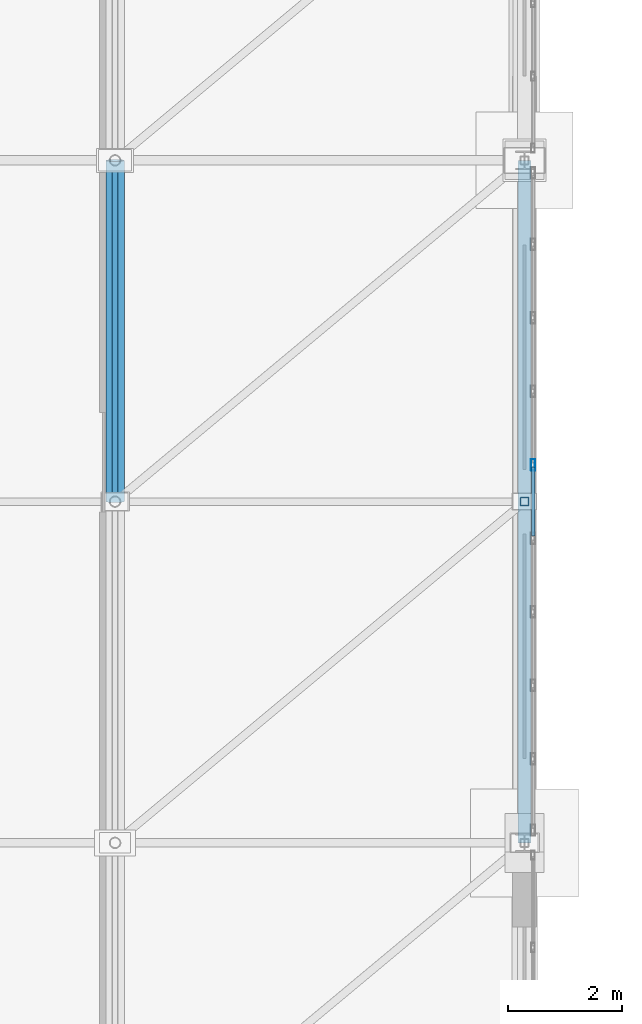
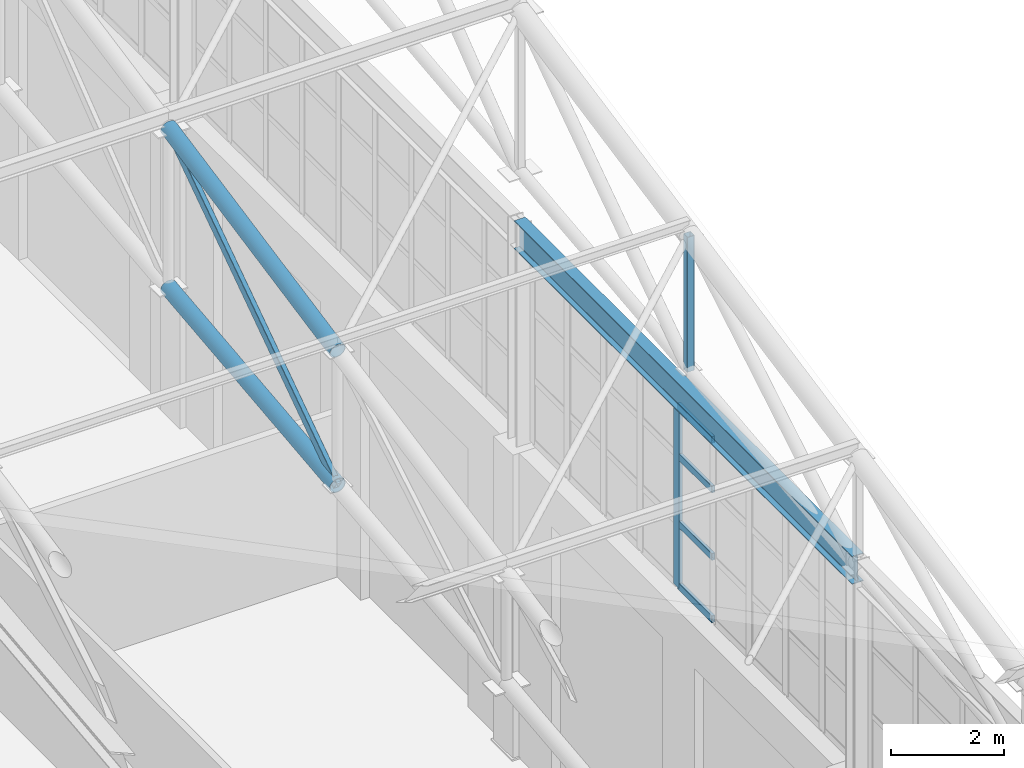
# One storey, part 186 of 293: 9 members, 1 beam, 1 element without a shape of its own.
"""IFC4 building model written with IfcOpenShell, lengths in metres."""

from ifc_helpers import new_model, si_unit, direction, frame, origin, origin_2d, place, context, subcontext, project, spatial, hollow_rectangle, hollow_circle, i_section, extrude, material, layer, layer_set, material_profile, profile_set, type_object, element, aggregate, save


model = new_model("IFC4")

# Units and contexts
model_context = context("Model", 3, precision=1e-05, world=origin(), true_north=direction((0.0, 1.0)))
body_context = subcontext(model_context, "Body", "Model", "MODEL_VIEW")
ifc_project = project(units=[si_unit("LENGTHUNIT", "METRE"), si_unit("AREAUNIT", "SQUARE_METRE"), si_unit("VOLUMEUNIT", "CUBIC_METRE"), si_unit("PLANEANGLEUNIT", "RADIAN"), si_unit("MASSUNIT", "GRAM", prefix="KILO")], contexts=[model_context])

# Site, building, storey
site_placement = place(None, origin())
site = spatial("IfcSite", under=ifc_project, at=site_placement, CompositionType="ELEMENT")
building_placement = place(site_placement, origin())
building = spatial("IfcBuilding", under=site, at=building_placement, Name="Kemerveld Promenade Tramway Depot", CompositionType="ELEMENT")
storey_placement = place(building_placement, origin())
storey = spatial("IfcBuildingStorey", under=building, at=storey_placement, Name="L00", CompositionType="ELEMENT", Elevation=0.0)

# Beam
ifc_material_1 = material(Name="Steel S355", Category="steel")
ifc_material_profile_1 = material_profile(ifc_material_1, i_section(OverallWidth=0.22900390625, OverallDepth=0.6123046875, WebThickness=0.011962890625, FlangeThickness=0.01953125, FilletRadius=0.0126953125, at=origin_2d()), Name="610x229x125 UB")
ifc_profile_set_1 = profile_set([ifc_material_profile_1], Name="Steel S355")
beam_type = type_object("IfcBeamType", Name="BM-G04", PredefinedType="BEAM", material=ifc_profile_set_1)
beam_placement = place(storey_placement, frame((187.199951171875, 96.0, 11.093994140625), z_axis=(0.0, 1.0, 0.0), x_axis=(-1.0, 0.0, 0.0)))
element("IfcBeam", 1, at=beam_placement, inside=storey, type_object=beam_type, Name="BM-GABLE-27-P", PredefinedType="BEAM", context=body_context, shape_type="SweptSolid", body=[
    extrude(i_section(OverallWidth=0.22900390625, OverallDepth=0.6123046875, WebThickness=0.011962890625, FlangeThickness=0.01953125, FilletRadius=0.0126953125, at=origin_2d()), origin(), (0.0, 0.0, 1.0), 12.0),
])

# Curtain wall, members
ifc_material_2 = material(Name="Bronze anodised aluminium and solar glass", Category="aluminium")
ifc_layer = layer(ifc_material_2, 0.199951171875)
ifc_layer_set = layer_set([ifc_layer], Name="CW-SYS-12")
curtain_wall_type = type_object("IfcCurtainWallType", Name="CW-SYS-12", PredefinedType="USERDEFINED", material=ifc_layer_set)
curtain_wall_placement = place(storey_placement, origin())
curtain_wall = element("IfcCurtainWall", 2, at=curtain_wall_placement, inside=storey, type_object=curtain_wall_type, Name="CW-V1-E-02", ObjectType="GLAZED_CURTAIN_WALL", PredefinedType="USERDEFINED")
ifc_material_3 = material(Name="Bronze anodised aluminium", Category="aluminium")
ifc_material_profile_2 = material_profile(ifc_material_3, hollow_rectangle(XDim=0.074951171875, YDim=0.199951171875, WallThickness=0.0048828125, InnerFilletRadius=0.001953125, OuterFilletRadius=0.0048828125, at=origin_2d()), Name="CW-MUL-200x75")
ifc_profile_set_2 = profile_set([ifc_material_profile_2], Name="Bronze anodised aluminium")
member_type_1 = type_object("IfcMemberType", Name="CW-MUL-B", PredefinedType="MULLION", material=ifc_profile_set_2)
member_1_placement = place(storey_placement, frame((187.35009765625, 102.646240234375, 6.64990234375), z_axis=(0.0, 0.0, 1.0), x_axis=(1.0, 0.0, 0.0)))
member_1 = element("IfcMember", 3, at=member_1_placement, type_object=member_type_1, Name="CW12 mullion 5", PredefinedType="MULLION", context=body_context, shape_type="SweptSolid", body=[
    extrude(hollow_rectangle(XDim=0.074951171875, YDim=0.199951171875, WallThickness=0.0048828125, InnerFilletRadius=0.001953125, OuterFilletRadius=0.0048828125, at=origin_2d()), origin(), (0.0, 0.0, 1.0), 3.9501953125),
])
ifc_material_profile_3 = material_profile(ifc_material_3, hollow_rectangle(XDim=0.06494140625, YDim=0.14990234375, WallThickness=0.00439453125, InnerFilletRadius=0.001953125, OuterFilletRadius=0.00439453125, at=origin_2d()), Name="CW-TRN-150x65")
ifc_profile_set_3 = profile_set([ifc_material_profile_3], Name="Bronze anodised aluminium")
member_type_2 = type_object("IfcMemberType", Name="CW-TRN-B", PredefinedType="USERDEFINED", material=ifc_profile_set_3)
member_2_placement = place(storey_placement, frame((187.35009765625, 102.60888671875, 6.6826171875), z_axis=(0.0, -1.0, 0.0), x_axis=(1.0, 0.0, 0.0)))
member_2 = element("IfcMember", 4, at=member_2_placement, type_object=member_type_2, Name="CW12 transom 5.1", ObjectType="TRANSOM", PredefinedType="USERDEFINED", context=body_context, shape_type="SweptSolid", body=[
    extrude(hollow_rectangle(XDim=0.06494140625, YDim=0.14990234375, WallThickness=0.00439453125, InnerFilletRadius=0.001953125, OuterFilletRadius=0.00439453125, at=origin_2d()), origin(), (0.0, 0.0, 1.0), 1.2177734375),
])
member_3_placement = place(storey_placement, frame((187.35009765625, 102.60888671875, 8.032958984375), z_axis=(0.0, -1.0, 0.0), x_axis=(1.0, 0.0, 0.0)))
member_3 = element("IfcMember", 5, at=member_3_placement, type_object=member_type_2, Name="CW12 transom 5.2", ObjectType="TRANSOM", PredefinedType="USERDEFINED", context=body_context, shape_type="SweptSolid", body=[
    extrude(hollow_rectangle(XDim=0.06494140625, YDim=0.14990234375, WallThickness=0.00439453125, InnerFilletRadius=0.001953125, OuterFilletRadius=0.00439453125, at=origin_2d()), origin(), (0.0, 0.0, 1.0), 1.2177734375),
])
member_4_placement = place(storey_placement, frame((187.35009765625, 102.60888671875, 9.493896484375), z_axis=(0.0, -1.0, 0.0), x_axis=(1.0, 0.0, 0.0)))
member_4 = element("IfcMember", 6, at=member_4_placement, type_object=member_type_2, Name="CW12 transom 5.3", ObjectType="TRANSOM", PredefinedType="USERDEFINED", context=body_context, shape_type="SweptSolid", body=[
    extrude(hollow_rectangle(XDim=0.06494140625, YDim=0.14990234375, WallThickness=0.00439453125, InnerFilletRadius=0.001953125, OuterFilletRadius=0.00439453125, at=origin_2d()), origin(), (0.0, 0.0, 1.0), 1.2177734375),
])
member_5_placement = place(storey_placement, frame((187.35009765625, 102.60888671875, 10.5673828125), z_axis=(0.0, -1.0, 0.0), x_axis=(1.0, 0.0, 0.0)))
member_5 = element("IfcMember", 7, at=member_5_placement, type_object=member_type_2, Name="CW12 transom 5.4", ObjectType="TRANSOM", PredefinedType="USERDEFINED", context=body_context, shape_type="SweptSolid", body=[
    extrude(hollow_rectangle(XDim=0.06494140625, YDim=0.14990234375, WallThickness=0.00439453125, InnerFilletRadius=0.001953125, OuterFilletRadius=0.00439453125, at=origin_2d()), origin(), (0.0, 0.0, 1.0), 1.2177734375),
])
aggregate(curtain_wall, [member_1, member_2, member_3, member_4, member_5])

# Members
ifc_material_profile_4 = material_profile(ifc_material_1, hollow_rectangle(XDim=0.10009765625, YDim=0.199951171875, WallThickness=0.008056640625, InnerFilletRadius=0.00390625, OuterFilletRadius=0.011962890625, at=origin_2d()), Name="200x100x8.0 RHS")
ifc_profile_set_4 = profile_set([ifc_material_profile_4], Name="Steel S355")
member_type_3 = type_object("IfcMemberType", Name="MB-M03", PredefinedType="BRACE", material=ifc_profile_set_4)
member_6_placement = place(storey_placement, frame((180.0, 102.0, 11.780029296875), z_axis=(0.0, 0.824370638462, 0.566050395673), x_axis=(-1.0, 0.0, 0.0)))
element("IfcMember", 8, at=member_6_placement, inside=storey, type_object=member_type_3, Name="TR-26-DG-04", PredefinedType="BRACE", context=body_context, shape_type="SweptSolid", body=[
    extrude(hollow_rectangle(XDim=0.10009765625, YDim=0.199951171875, WallThickness=0.008056640625, InnerFilletRadius=0.00390625, OuterFilletRadius=0.011962890625, at=origin_2d()), origin(), (0.0, 0.0, 1.0), 7.2783203125),
])
ifc_material_profile_5 = material_profile(ifc_material_1, hollow_circle(Radius=0.161865234375, WallThickness=0.012451171875, at=origin_2d()), Name="323.9x12.5 CHS")
ifc_profile_set_5 = profile_set([ifc_material_profile_5], Name="Steel S355")
member_type_4 = type_object("IfcMemberType", Name="MB-TC2", PredefinedType="CHORD", material=ifc_profile_set_5)
member_7_placement = place(storey_placement, frame((180.0, 102.0, 14.699951171875), z_axis=(0.0, 0.980582210276, 0.196108462057), x_axis=(-1.0, 0.0, 0.0)))
element("IfcMember", 9, at=member_7_placement, inside=storey, type_object=member_type_4, Name="TR-26-TC-04", PredefinedType="CHORD", context=body_context, shape_type="SweptSolid", body=[
    extrude(hollow_circle(Radius=0.161865234375, WallThickness=0.012451171875, at=origin_2d()), origin(), (0.0, 0.0, 1.0), 6.118896484375),
])
member_8_placement = place(storey_placement, frame((180.0, 102.0, 11.780029296875), z_axis=(0.0, 0.994005938353, 0.109326092585), x_axis=(-1.0, 0.0, 0.0)))
element("IfcMember", 10, at=member_8_placement, inside=storey, type_object=member_type_4, Name="TR-26-BC-04", PredefinedType="CHORD", context=body_context, shape_type="SweptSolid", body=[
    extrude(hollow_circle(Radius=0.161865234375, WallThickness=0.012451171875, at=origin_2d()), origin(), (0.0, 0.0, 1.0), 6.0361328125),
])
ifc_material_profile_6 = material_profile(ifc_material_1, hollow_rectangle(XDim=0.14990234375, YDim=0.14990234375, WallThickness=0.008056640625, InnerFilletRadius=0.00390625, OuterFilletRadius=0.011962890625, at=origin_2d()), Name="150x150x8.0 SHS")
ifc_profile_set_6 = profile_set([ifc_material_profile_6], Name="Steel S355")
member_type_5 = type_object("IfcMemberType", Name="MB-TP2", PredefinedType="POST", material=ifc_profile_set_6)
member_9_placement = place(storey_placement, frame((187.199951171875, 102.0, 11.780029296875), z_axis=(0.0, 0.0, 1.0), x_axis=(1.0, 0.0, 0.0)))
element("IfcMember", 11, at=member_9_placement, inside=storey, type_object=member_type_5, Name="TR-27-VT-03", PredefinedType="POST", context=body_context, shape_type="SweptSolid", body=[
    extrude(hollow_rectangle(XDim=0.14990234375, YDim=0.14990234375, WallThickness=0.008056640625, InnerFilletRadius=0.00390625, OuterFilletRadius=0.011962890625, at=origin_2d()), origin(), (0.0, 0.0, 1.0), 2.919921875),
])

save(model, "model.ifc")
